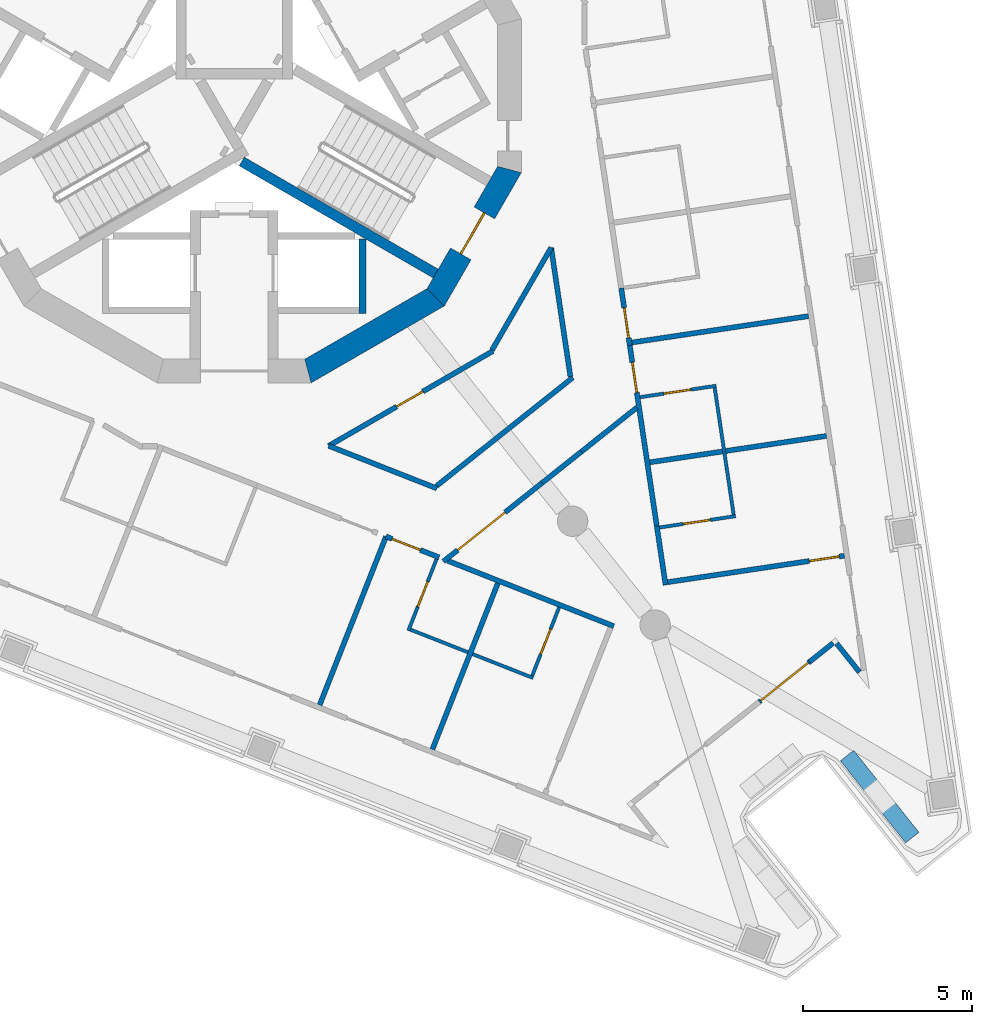
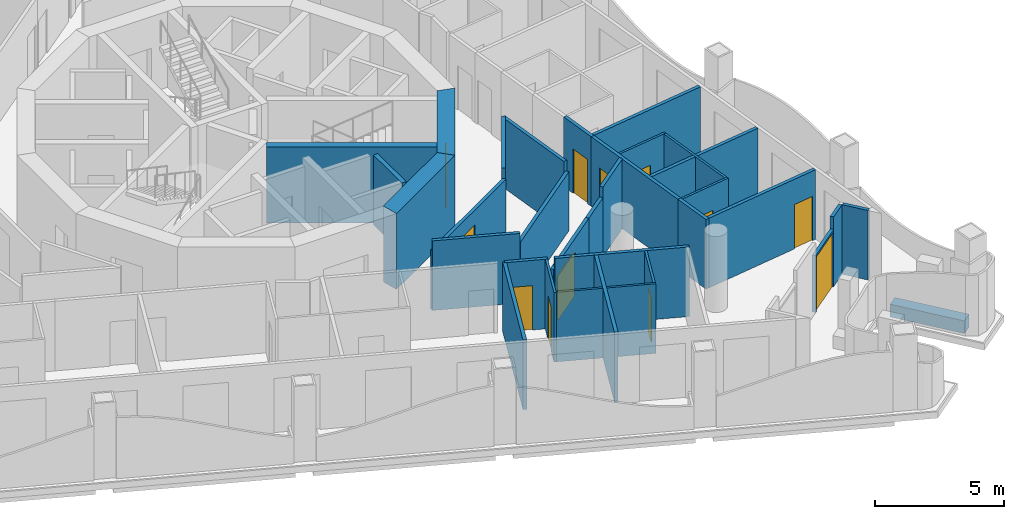
# One storey, part 5 of 16: 34 walls, 12 doors, 12 openings.
"""IFC4 building model written with IfcOpenShell, lengths in metres."""

from ifc_helpers import new_model, si_unit, direction, frame, frame_2d, origin, place, context, subcontext, project, spatial, polyline, rectangle, outline, extrude, material, layer, layer_set, type_object, element, fill, save


model = new_model("IFC4")

# Units and contexts
model_context = context("Model", 3, precision=1e-05, world=origin(), true_north=direction((0.0, 1.0)))
body_context = subcontext(model_context, "Body", "Model", "MODEL_VIEW")
ifc_project = project(units=[si_unit("LENGTHUNIT", "METRE"), si_unit("AREAUNIT", "SQUARE_METRE"), si_unit("VOLUMEUNIT", "CUBIC_METRE"), si_unit("PLANEANGLEUNIT", "RADIAN"), si_unit("MASSUNIT", "GRAM", prefix="KILO")], contexts=[model_context])

# Site, building, storey
site_placement = place(None, origin())
site = spatial("IfcSite", under=ifc_project, at=site_placement, CompositionType="ELEMENT")
building_placement = place(site_placement, origin())
building = spatial("IfcBuilding", under=site, at=building_placement, Name="Trine Commons Tower", CompositionType="ELEMENT")
storey_placement = place(building_placement, frame((0.0, 0.0, 219.60009765625)))
storey = spatial("IfcBuildingStorey", under=building, at=storey_placement, Name="L57", CompositionType="ELEMENT", Elevation=219.60009765625)

# Walls
ifc_material_1 = material(Name="Aluminium-framed insulated wall panel", Category="aluminium")
ifc_layer_1 = layer(ifc_material_1, 0.14990234375)
ifc_layer_set_1 = layer_set([ifc_layer_1], Name="Aluminium-framed insulated wall panel")
wall_type_1 = type_object("IfcWallType", Name="Glazed frame wall 150, EI 60", PredefinedType="SOLIDWALL", material=ifc_layer_set_1)
wall_1_placement = place(storey_placement, frame((98.603759765625, 45.320556640625, 0.0), z_axis=(0.0, 0.0, 1.0), x_axis=(-0.6225008228, 0.782619144676, 0.0)))
element("IfcWall", 1, at=wall_1_placement, inside=storey, type_object=wall_type_1, Name="Glazed frame wall R6", PredefinedType="SOLIDWALL", context=body_context, shape_type="SweptSolid", body=[
    extrude(outline(polyline([(0.1494140625, 0.074951171875), (0.1494140625, -0.074951171875), (1.235107421875, -0.074951171875), (1.235107421875, 0.074951171875), (0.1494140625, 0.074951171875)])), origin(), (0.0, 0.0, 1.0), 3.2998046875),
])
wall_2_placement = place(storey_placement, frame((97.815673828125, 46.367431640625, 0.0), z_axis=(0.0, 0.0, 1.0), x_axis=(-0.78265242488, -0.622458980037, 0.0)))
element("IfcWall", 2, at=wall_2_placement, inside=storey, type_object=wall_type_1, Name="Glazed frame wall P2.1", PredefinedType="SOLIDWALL", context=body_context, shape_type="SweptSolid", body=[
    extrude(outline(polyline([(0.110107421875, -0.074951171875), (1.0, -0.074951171875), (1.0, 0.074951171875), (0.110107421875, 0.074951171875), (0.110107421875, -0.074951171875)])), origin(), (0.0, 0.0, 1.0), 3.2998046875),
])

# Wall, opening, door
wall_3_placement = place(storey_placement, frame((97.033203125, 45.7451171875, 0.0), z_axis=(0.0, 0.0, 1.0), x_axis=(-0.782608167395, -0.622514623384, 0.0)))
wall_3 = element("IfcWall", 3, at=wall_3_placement, inside=storey, type_object=wall_type_1, Name="Glazed frame wall P2.2", PredefinedType="SOLIDWALL", context=body_context, shape_type="SweptSolid", body=[
    extrude(outline(polyline([(0.0, -0.074951171875), (1.89990234375, -0.074951171875), (1.89990234375, 0.074951171875), (0.0, 0.074951171875), (0.0, -0.074951171875)])), origin(), (0.0, 0.0, 1.0), 2.699951171875),
])
opening_1_placement = place(wall_3_placement, frame((0.050048828125, 0.0, 0.0)))
opening_1 = element("IfcOpeningElement", 4, at=opening_1_placement, cuts=wall_3, Name="Opening BD-6P2-01", PredefinedType="OPENING", context=body_context, shape_type="SweptSolid", body=[
    extrude(rectangle(XDim=1.800048828125, YDim=2.60009765625, at=frame_2d((0.89990234375, 1.300048828125))), frame((0.0, 0.0849609375, 0.0), z_axis=(0.0, -1.0, 0.0), x_axis=(1.0, 0.0, 0.0)), (0.0, 0.0, 1.0), 0.169921875),
])
ifc_material_2 = material(Name="Anodised aluminium frame with double glazing", Category="aluminium")
door_type_1 = type_object("IfcDoorType", Name="Sliding loggia door 1800x2600", OperationType="SLIDING_TO_LEFT", PredefinedType="DOOR", material=ifc_material_2)
door_1_placement = place(opening_1_placement, origin())
door_1 = element("IfcDoor", 5, at=door_1_placement, inside=storey, type_object=door_type_1, Name="Loggia door P2 1", OperationType="SLIDING_TO_LEFT", OverallHeight=2.60009765625, OverallWidth=1.800048828125, PredefinedType="DOOR", context=body_context, shape_type="SweptSolid", body=[
    extrude(rectangle(XDim=1.800048828125, YDim=2.60009765625, at=frame_2d((0.89990234375, 1.300048828125))), frame((0.0, 0.02490234375, 0.0), z_axis=(0.0, -1.0, 0.0), x_axis=(1.0, 0.0, 0.0)), (0.0, 0.0, 1.0), 0.050048828125),
])
fill(opening_1, door_1)

# Walls
ifc_material_3 = material(Name="Planter trough, precast concrete C40/50", Category="concrete")
ifc_layer_2 = layer(ifc_material_3, 0.5)
ifc_layer_set_2 = layer_set([ifc_layer_2], Name="Planter trough, precast concrete C40/50")
wall_type_2 = type_object("IfcWallType", Name="Planter trough 500x600", PredefinedType="PARAPET", material=ifc_layer_set_2)
wall_4_placement = place(storey_placement, frame((100.0732421875, 40.54150390625, 0.0), z_axis=(0.0, 0.0, 1.0), x_axis=(-0.622502736232, 0.782617622715, 0.0)))
element("IfcWall", 6, at=wall_4_placement, inside=storey, type_object=wall_type_2, Name="Planter 7", PredefinedType="PARAPET", context=body_context, shape_type="SweptSolid", body=[
    extrude(rectangle(XDim=3.099853515625, YDim=0.5, at=frame_2d((1.5498046875, 0.0))), origin(), (0.0, 0.0, 1.0), 0.599853515625),
])
ifc_material_4 = material(Name="Concrete C60/75", Category="concrete")
ifc_layer_3 = layer(ifc_material_4, 0.300048828125)
ifc_layer_set_3 = layer_set([ifc_layer_3], Name="Concrete C60/75")
wall_type_3 = type_object("IfcWallType", Name="RC shear wall 300 mm, C60/75", PredefinedType="SHEAR", material=ifc_layer_set_3)
wall_5_placement = place(storey_placement, frame((80.22509765625, 60.552001953125, 0.0), z_axis=(0.0, 0.0, 1.0), x_axis=(0.866009627307, -0.500027324665, 0.0)))
element("IfcWall", 7, at=wall_5_placement, inside=storey, type_object=wall_type_3, Name="Core cross wall SWC-13 L57", PredefinedType="SHEAR", context=body_context, shape_type="SweptSolid", body=[
    extrude(rectangle(XDim=6.631591796875, YDim=0.300048828125, at=frame_2d((3.31591796875, 0.0))), origin(), (0.0, 0.0, 1.0), 3.599853515625),
])
ifc_layer_4 = layer(ifc_material_4, 0.699951171875)
ifc_layer_set_4 = layer_set([ifc_layer_4], Name="Concrete C60/75")
wall_type_4 = type_object("IfcWallType", Name="RC shear wall 700 mm, C60/75", PredefinedType="SHEAR", material=ifc_layer_set_4)
wall_6_placement = place(storey_placement, frame((82.1025390625, 54.302978515625, 0.0), z_axis=(0.0, 0.0, 1.0), x_axis=(0.866034756103, 0.499983800959, 0.0)))
element("IfcWall", 8, at=wall_6_placement, inside=storey, type_object=wall_type_4, Name="Core wall CWF-11 L57", PredefinedType="SHEAR", context=body_context, shape_type="SweptSolid", body=[
    extrude(outline(polyline([(0.0, -0.35009765625), (4.55517578125, -0.35009765625), (4.36767578125, 0.35009765625), (0.1875, 0.35009765625), (0.0, -0.35009765625)])), origin(), (0.0, 0.0, 1.0), 3.599853515625),
])

# Wall, opening, door
wall_7_placement = place(storey_placement, frame((85.91943359375, 56.452392578125, 0.0), z_axis=(0.0, 0.0, 1.0), x_axis=(0.499983800959, 0.866034756103, 0.0)))
wall_7 = element("IfcWall", 9, at=wall_7_placement, inside=storey, type_object=wall_type_4, Name="Core wall CWF-12 L57", PredefinedType="SHEAR", context=body_context, shape_type="SweptSolid", body=[
    extrude(outline(polyline([(0.0, -0.35009765625), (4.55517578125, -0.35009765625), (4.36767578125, 0.35009765625), (0.1875, 0.35009765625), (0.0, -0.35009765625)])), origin(), (0.0, 0.0, 1.0), 3.599853515625),
])
opening_2_placement = place(wall_7_placement, frame((1.577392578125, 0.0, 0.0)))
opening_2 = element("IfcOpeningElement", 10, at=opening_2_placement, cuts=wall_7, Name="Opening K15.03", PredefinedType="OPENING", context=body_context, shape_type="SweptSolid", body=[
    extrude(rectangle(XDim=1.39990234375, YDim=2.10009765625, at=frame_2d((0.699951171875, 1.050048828125))), frame((0.0, 0.35986328125, 0.0), z_axis=(0.0, -1.0, 0.0), x_axis=(1.0, 0.0, 0.0)), (0.0, 0.0, 1.0), 0.719970703125),
])
ifc_material_5 = material(Name="Steel door leaves, fire-rated", Category="steel")
door_type_2 = type_object("IfcDoorType", Name="Stair door, double leaf 1400 x 2100, FD90", OperationType="DOUBLE_DOOR_SINGLE_SWING", PredefinedType="DOOR", material=ifc_material_5)
door_2_placement = place(opening_2_placement, origin())
door_2 = element("IfcDoor", 11, at=door_2_placement, inside=storey, type_object=door_type_2, Name="Stair door to Exit stair ST3C L57", OperationType="DOUBLE_DOOR_SINGLE_SWING", OverallHeight=2.10009765625, OverallWidth=1.39990234375, PredefinedType="DOOR", context=body_context, shape_type="SweptSolid", body=[
    extrude(rectangle(XDim=1.39990234375, YDim=2.10009765625, at=frame_2d((0.699951171875, 1.050048828125))), frame((0.0, 0.02490234375, 0.0), z_axis=(0.0, -1.0, 0.0), x_axis=(1.0, 0.0, 0.0)), (0.0, 0.0, 1.0), 0.050048828125),
])
fill(opening_2, door_2)

# Walls
ifc_material_6 = material(Name="Fire-rated gypsum shaft wall system")
ifc_layer_5 = layer(ifc_material_6, 0.199951171875)
ifc_layer_set_5 = layer_set([ifc_layer_5], Name="Fire-rated gypsum shaft wall system")
wall_type_5 = type_object("IfcWallType", Name="Shaft wall 200 mm, EI 120", PredefinedType="PARTITIONING", material=ifc_layer_set_5)
wall_8_placement = place(storey_placement, frame((83.800048828125, 58.257080078125, 0.0), z_axis=(0.0, 0.0, 1.0), x_axis=(0.0, -1.0, 0.0)))
element("IfcWall", 12, at=wall_8_placement, inside=storey, type_object=wall_type_5, Name="Shaft wall L57", PredefinedType="PARTITIONING", context=body_context, shape_type="SweptSolid", body=[
    extrude(rectangle(XDim=2.20703125, YDim=0.199951171875, at=frame_2d((1.103515625, 0.0))), origin(), (0.0, 0.0, 1.0), 3.2998046875),
])
ifc_material_7 = material(Name="Gypsum plasterboard on steel stud", Category="steel")
ifc_layer_6 = layer(ifc_material_7, 0.14990234375)
ifc_layer_set_6 = layer_set([ifc_layer_6], Name="Gypsum plasterboard on steel stud")
wall_type_6 = type_object("IfcWallType", Name="Unit and corridor wall 150 mm, EI 60", PredefinedType="PARTITIONING", material=ifc_layer_set_6)
wall_9_placement = place(storey_placement, frame((82.53173828125, 44.46728515625, 0.0), z_axis=(0.0, 0.0, 1.0), x_axis=(0.366658333351, 0.930355666712, 0.0)))
element("IfcWall", 13, at=wall_9_placement, inside=storey, type_object=wall_type_6, Name="Partition 060", PredefinedType="PARTITIONING", context=body_context, shape_type="SweptSolid", body=[
    extrude(rectangle(XDim=5.360107421875, YDim=0.14990234375, at=frame_2d((2.68017578125, 0.0))), origin(), (0.0, 0.0, 1.0), 3.2998046875),
])

# Wall, opening, door
wall_10_placement = place(storey_placement, frame((82.798095703125, 52.135009765625, 0.0), z_axis=(0.0, 0.0, 1.0), x_axis=(0.865994393525, 0.500053707499, 0.0)))
wall_10 = element("IfcWall", 14, at=wall_10_placement, inside=storey, type_object=wall_type_6, Name="Partition 063", PredefinedType="PARTITIONING", context=body_context, shape_type="SweptSolid", body=[
    extrude(rectangle(XDim=5.6142578125, YDim=0.14990234375, at=frame_2d((2.80712890625, 0.0))), origin(), (0.0, 0.0, 1.0), 2.7998046875),
])
opening_3_placement = place(wall_10_placement, frame((2.321533203125, 0.0, 0.0)))
opening_3 = element("IfcOpeningElement", 15, at=opening_3_placement, cuts=wall_10, Name="Opening D-6C26", PredefinedType="OPENING", context=body_context, shape_type="SweptSolid", body=[
    extrude(rectangle(XDim=0.89990234375, YDim=2.10009765625, at=frame_2d((0.449951171875, 1.050048828125))), frame((0.0, 0.0849609375, 0.0), z_axis=(0.0, -1.0, 0.0), x_axis=(1.0, 0.0, 0.0)), (0.0, 0.0, 1.0), 0.169921875),
])
ifc_material_8 = material(Name="Timber fire door set", Category="wood")
door_type_3 = type_object("IfcDoorType", Name="Service door 900 x 2100, FD30S", OperationType="NOTDEFINED", PredefinedType="DOOR", material=ifc_material_8)
door_3_placement = place(opening_3_placement, frame((0.89990234375, 0.0, 0.0), z_axis=(0.0, 0.0, 1.0), x_axis=(-1.0, 0.0, 0.0)))
door_3 = element("IfcDoor", 16, at=door_3_placement, inside=storey, type_object=door_type_3, Name="Door D-6C26", OperationType="SINGLE_SWING_RIGHT", OverallHeight=2.10009765625, OverallWidth=0.89990234375, PredefinedType="DOOR", context=body_context, shape_type="SweptSolid", body=[
    extrude(rectangle(XDim=0.89990234375, YDim=2.10009765625, at=frame_2d((0.449951171875, 1.050048828125))), frame((0.0, 0.02490234375, 0.0), z_axis=(0.0, -1.0, 0.0), x_axis=(1.0, 0.0, 0.0)), (0.0, 0.0, 1.0), 0.050048828125),
])
fill(opening_3, door_3)

# Wall
wall_11_placement = place(storey_placement, frame((82.801025390625, 52.136962890625, 0.0), z_axis=(0.0, 0.0, 1.0), x_axis=(0.930387129981, -0.366578488685, 0.0)))
element("IfcWall", 17, at=wall_11_placement, inside=storey, type_object=wall_type_6, Name="Partition 064", PredefinedType="PARTITIONING", context=body_context, shape_type="SweptSolid", body=[
    extrude(rectangle(XDim=3.441162109375, YDim=0.14990234375, at=frame_2d((1.720703125, 0.0))), origin(), (0.0, 0.0, 1.0), 3.2998046875),
])

# Wall, opening, door
wall_12_placement = place(storey_placement, frame((84.492919921875, 49.455078125, 0.0), z_axis=(0.0, 0.0, 1.0), x_axis=(0.930558708254, -0.366142718748, 0.0)))
wall_12 = element("IfcWall", 18, at=wall_12_placement, inside=storey, type_object=wall_type_6, Name="Partition 071", PredefinedType="PARTITIONING", context=body_context, shape_type="SweptSolid", body=[
    extrude(rectangle(XDim=1.6943359375, YDim=0.14990234375, at=frame_2d((0.84716796875, 0.0))), origin(), (0.0, 0.0, 1.0), 3.2998046875),
])
opening_4_placement = place(wall_12_placement, frame((0.19775390625, 0.0, 0.0)))
opening_4 = element("IfcOpeningElement", 19, at=opening_4_placement, cuts=wall_12, Name="Opening D-6C21", PredefinedType="OPENING", context=body_context, shape_type="SweptSolid", body=[
    extrude(rectangle(XDim=0.89990234375, YDim=2.10009765625, at=frame_2d((0.449951171875, 1.050048828125))), frame((0.0, 0.0849609375, 0.0), z_axis=(0.0, -1.0, 0.0), x_axis=(1.0, 0.0, 0.0)), (0.0, 0.0, 1.0), 0.169921875),
])
door_type_4 = type_object("IfcDoorType", Name="Bedroom door 900 x 2100, FD30S", OperationType="NOTDEFINED", PredefinedType="DOOR", material=ifc_material_8)
door_4_placement = place(opening_4_placement, frame((0.89990234375, 0.0, 0.0), z_axis=(0.0, 0.0, 1.0), x_axis=(-1.0, 0.0, 0.0)))
door_4 = element("IfcDoor", 20, at=door_4_placement, inside=storey, type_object=door_type_4, Name="Door D-6C21", OperationType="SINGLE_SWING_RIGHT", OverallHeight=2.10009765625, OverallWidth=0.89990234375, PredefinedType="DOOR", context=body_context, shape_type="SweptSolid", body=[
    extrude(rectangle(XDim=0.89990234375, YDim=2.10009765625, at=frame_2d((0.449951171875, 1.050048828125))), frame((0.0, 0.02490234375, 0.0), z_axis=(0.0, -1.0, 0.0), x_axis=(1.0, 0.0, 0.0)), (0.0, 0.0, 1.0), 0.050048828125),
])
fill(opening_4, door_4)

# Walls
wall_13_placement = place(storey_placement, frame((85.86865234375, 43.152099609375, 0.0), z_axis=(0.0, 0.0, 1.0), x_axis=(0.366408201445, 0.930454206242, 0.0)))
element("IfcWall", 21, at=wall_13_placement, inside=storey, type_object=wall_type_6, Name="Partition 075", PredefinedType="PARTITIONING", context=body_context, shape_type="SweptSolid", body=[
    extrude(rectangle(XDim=5.285888671875, YDim=0.14990234375, at=frame_2d((2.64306640625, 0.0))), origin(), (0.0, 0.0, 1.0), 3.2998046875),
])
wall_14_placement = place(storey_placement, frame((85.99169921875, 50.94970703125, 0.0), z_axis=(0.0, 0.0, 1.0), x_axis=(0.782530221945, 0.622612601657, 0.0)))
element("IfcWall", 22, at=wall_14_placement, inside=storey, type_object=wall_type_6, Name="Partition 076", PredefinedType="PARTITIONING", context=body_context, shape_type="SweptSolid", body=[
    extrude(rectangle(XDim=5.152587890625, YDim=0.14990234375, at=frame_2d((2.576171875, 0.0))), origin(), (0.0, 0.0, 1.0), 2.7998046875),
])

# Wall, opening, door
wall_15_placement = place(storey_placement, frame((86.1943359375, 48.71533203125, 0.0), z_axis=(0.0, 0.0, 1.0), x_axis=(0.782511991975, 0.622635513294, 0.0)))
wall_15 = element("IfcWall", 23, at=wall_15_placement, inside=storey, type_object=wall_type_6, Name="Partition 077", PredefinedType="PARTITIONING", context=body_context, shape_type="SweptSolid", body=[
    extrude(rectangle(XDim=3.733642578125, YDim=0.14990234375, at=frame_2d((1.86669921875, 0.0))), origin(), (0.0, 0.0, 1.0), 2.7998046875),
])
opening_5_placement = place(wall_15_placement, frame((0.536865234375, 0.0, 0.0)))
opening_5 = element("IfcOpeningElement", 24, at=opening_5_placement, cuts=wall_15, Name="Opening D-6C02", PredefinedType="OPENING", context=body_context, shape_type="SweptSolid", body=[
    extrude(rectangle(XDim=1.800048828125, YDim=2.10009765625, at=frame_2d((0.89990234375, 1.050048828125))), frame((0.0, 0.0849609375, 0.0), z_axis=(0.0, -1.0, 0.0), x_axis=(1.0, 0.0, 0.0)), (0.0, 0.0, 1.0), 0.169921875),
])
door_type_5 = type_object("IfcDoorType", Name="Cluster entrance door 1800 x 2100, double leaf, FD30S", OperationType="DOUBLE_DOOR_DOUBLE_SWING", PredefinedType="DOOR", material=ifc_material_8)
door_5_placement = place(opening_5_placement, frame((1.800048828125, 0.0, 0.0), z_axis=(0.0, 0.0, 1.0), x_axis=(-1.0, 0.0, 0.0)))
door_5 = element("IfcDoor", 25, at=door_5_placement, inside=storey, type_object=door_type_5, Name="Door D-6C02", OperationType="DOUBLE_DOOR_DOUBLE_SWING", OverallHeight=2.10009765625, OverallWidth=1.800048828125, PredefinedType="DOOR", context=body_context, shape_type="SweptSolid", body=[
    extrude(rectangle(XDim=1.800048828125, YDim=2.10009765625, at=frame_2d((0.89990234375, 1.050048828125))), frame((0.0, 0.02490234375, 0.0), z_axis=(0.0, -1.0, 0.0), x_axis=(1.0, 0.0, 0.0)), (0.0, 0.0, 1.0), 0.050048828125),
])
fill(opening_5, door_5)

# Walls
wall_16_placement = place(storey_placement, frame((86.32275390625, 48.734619140625, 0.0), z_axis=(0.0, 0.0, 1.0), x_axis=(0.930382606838, -0.366589968348, 0.0)))
element("IfcWall", 26, at=wall_16_placement, inside=storey, type_object=wall_type_6, Name="Partition 078", PredefinedType="PARTITIONING", context=body_context, shape_type="SweptSolid", body=[
    extrude(rectangle(XDim=5.283935546875, YDim=0.14990234375, at=frame_2d((2.64208984375, 0.0))), origin(), (0.0, 0.0, 1.0), 3.2998046875),
])
wall_17_placement = place(storey_placement, frame((87.632568359375, 54.969970703125, 0.0), z_axis=(0.0, 0.0, 1.0), x_axis=(0.50005009493, 0.865996479531, 0.0)))
element("IfcWall", 27, at=wall_17_placement, inside=storey, type_object=wall_type_6, Name="Partition 082", PredefinedType="PARTITIONING", context=body_context, shape_type="SweptSolid", body=[
    extrude(rectangle(XDim=3.504638671875, YDim=0.14990234375, at=frame_2d((1.75244140625, 0.0))), origin(), (0.0, 0.0, 1.0), 3.2998046875),
])
wall_18_placement = place(storey_placement, frame((89.115966796875, 51.0400390625, 0.0), z_axis=(0.0, 0.0, 1.0), x_axis=(0.7828906441, 0.622159336007, 0.0)))
element("IfcWall", 28, at=wall_18_placement, inside=storey, type_object=wall_type_6, Name="Partition 092", PredefinedType="PARTITIONING", context=body_context, shape_type="SweptSolid", body=[
    extrude(rectangle(XDim=1.4931640625, YDim=0.14990234375, at=frame_2d((0.74658203125, 0.0))), origin(), (0.0, 0.0, 1.0), 2.7998046875),
])
wall_19_placement = place(storey_placement, frame((89.383056640625, 58.001953125, 0.0), z_axis=(0.0, 0.0, 1.0), x_axis=(0.14791043165, -0.989000760469, 0.0)))
element("IfcWall", 29, at=wall_19_placement, inside=storey, type_object=wall_type_6, Name="Partition 094", PredefinedType="PARTITIONING", context=body_context, shape_type="SweptSolid", body=[
    extrude(rectangle(XDim=3.859130859375, YDim=0.14990234375, at=frame_2d((1.9296875, 0.0))), origin(), (0.0, 0.0, 1.0), 3.2998046875),
])
wall_20_placement = place(storey_placement, frame((90.284912109375, 51.968994140625, 0.0), z_axis=(0.0, 0.0, 1.0), x_axis=(0.782529911794, 0.622612991471, 0.0)))
element("IfcWall", 30, at=wall_20_placement, inside=storey, type_object=wall_type_6, Name="Partition 099", PredefinedType="PARTITIONING", context=body_context, shape_type="SweptSolid", body=[
    extrude(rectangle(XDim=2.090087890625, YDim=0.14990234375, at=frame_2d((1.044921875, 0.0))), origin(), (0.0, 0.0, 1.0), 3.2998046875),
])

# Wall, opening, door
wall_21_placement = place(storey_placement, frame((91.4580078125, 56.805908203125, 0.0), z_axis=(0.0, 0.0, 1.0), x_axis=(0.147145743131, -0.989114821585, 0.0)))
wall_21 = element("IfcWall", 31, at=wall_21_placement, inside=storey, type_object=wall_type_6, Name="Partition 111", PredefinedType="PARTITIONING", context=body_context, shape_type="SweptSolid", body=[
    extrude(rectangle(XDim=1.718994140625, YDim=0.14990234375, at=frame_2d((0.859375, 0.0))), origin(), (0.0, 0.0, 1.0), 3.2998046875),
])
opening_6_placement = place(wall_21_placement, frame((0.58984375, 0.0, 0.0)))
opening_6 = element("IfcOpeningElement", 32, at=opening_6_placement, cuts=wall_21, Name="Opening D-6C17", PredefinedType="OPENING", context=body_context, shape_type="SweptSolid", body=[
    extrude(rectangle(XDim=0.89990234375, YDim=2.10009765625, at=frame_2d((0.449951171875, 1.050048828125))), frame((0.0, 0.0849609375, 0.0), z_axis=(0.0, -1.0, 0.0), x_axis=(1.0, 0.0, 0.0)), (0.0, 0.0, 1.0), 0.169921875),
])
door_6_placement = place(opening_6_placement, origin())
door_6 = element("IfcDoor", 33, at=door_6_placement, inside=storey, type_object=door_type_4, Name="Door D-6C17", OperationType="SINGLE_SWING_RIGHT", OverallHeight=2.10009765625, OverallWidth=0.89990234375, PredefinedType="DOOR", context=body_context, shape_type="SweptSolid", body=[
    extrude(rectangle(XDim=0.89990234375, YDim=2.10009765625, at=frame_2d((0.449951171875, 1.050048828125))), frame((0.0, 0.02490234375, 0.0), z_axis=(0.0, -1.0, 0.0), x_axis=(1.0, 0.0, 0.0)), (0.0, 0.0, 1.0), 0.050048828125),
])
fill(opening_6, door_6)

wall_22_placement = place(storey_placement, frame((91.698974609375, 55.18798828125, 0.0), z_axis=(0.0, 0.0, 1.0), x_axis=(0.147922673627, -0.988998929538, 0.0)))
wall_22 = element("IfcWall", 34, at=wall_22_placement, inside=storey, type_object=wall_type_6, Name="Partition 112", PredefinedType="PARTITIONING", context=body_context, shape_type="SweptSolid", body=[
    extrude(rectangle(XDim=5.5439453125, YDim=0.14990234375, at=frame_2d((2.77197265625, 0.0))), origin(), (0.0, 0.0, 1.0), 3.2998046875),
])
opening_7_placement = place(wall_22_placement, frame((0.590087890625, 0.0, 0.0)))
opening_7 = element("IfcOpeningElement", 35, at=opening_7_placement, cuts=wall_22, Name="Opening D-6C18", PredefinedType="OPENING", context=body_context, shape_type="SweptSolid", body=[
    extrude(rectangle(XDim=0.89990234375, YDim=2.10009765625, at=frame_2d((0.449951171875, 1.050048828125))), frame((0.0, 0.0849609375, 0.0), z_axis=(0.0, -1.0, 0.0), x_axis=(1.0, 0.0, 0.0)), (0.0, 0.0, 1.0), 0.169921875),
])
door_7_placement = place(opening_7_placement, origin())
door_7 = element("IfcDoor", 36, at=door_7_placement, inside=storey, type_object=door_type_4, Name="Door D-6C18", OperationType="SINGLE_SWING_LEFT", OverallHeight=2.10009765625, OverallWidth=0.89990234375, PredefinedType="DOOR", context=body_context, shape_type="SweptSolid", body=[
    extrude(rectangle(XDim=0.89990234375, YDim=2.10009765625, at=frame_2d((0.449951171875, 1.050048828125))), frame((0.0, 0.02490234375, 0.0), z_axis=(0.0, -1.0, 0.0), x_axis=(1.0, 0.0, 0.0)), (0.0, 0.0, 1.0), 0.050048828125),
])
fill(opening_7, door_7)

# Walls
wall_23_placement = place(storey_placement, frame((91.774169921875, 55.195068359375, 0.0), z_axis=(0.0, 0.0, 1.0), x_axis=(0.98902190879, 0.147768954566, 0.0)))
element("IfcWall", 37, at=wall_23_placement, inside=storey, type_object=wall_type_6, Name="Partition 113", PredefinedType="PARTITIONING", context=body_context, shape_type="SweptSolid", body=[
    extrude(rectangle(XDim=5.285400390625, YDim=0.14990234375, at=frame_2d((2.642578125, 0.0))), origin(), (0.0, 0.0, 1.0), 3.2998046875),
])
wall_24_placement = place(storey_placement, frame((92.30419921875, 51.649169921875, 0.0), z_axis=(0.0, 0.0, 1.0), x_axis=(0.989097136126, 0.147264575874, 0.0)))
element("IfcWall", 38, at=wall_24_placement, inside=storey, type_object=wall_type_6, Name="Partition 116", PredefinedType="PARTITIONING", context=body_context, shape_type="SweptSolid", body=[
    extrude(rectangle(XDim=2.175048828125, YDim=0.14990234375, at=frame_2d((1.08740234375, 0.0))), origin(), (0.0, 0.0, 1.0), 3.2998046875),
])
wall_25_placement = place(storey_placement, frame((92.510498046875, 49.762451171875, 0.0), z_axis=(0.0, 0.0, 1.0), x_axis=(0.147596346484, -0.989047682624, 0.0)))
element("IfcWall", 39, at=wall_25_placement, inside=storey, type_object=wall_type_6, Name="Partition 117", PredefinedType="PARTITIONING", context=body_context, shape_type="SweptSolid", body=[
    extrude(rectangle(XDim=1.764892578125, YDim=0.14990234375, at=frame_2d((0.88232421875, 0.0))), origin(), (0.0, 0.0, 1.0), 3.2998046875),
])

# Wall, opening, door
wall_26_placement = place(storey_placement, frame((92.834228515625, 48.10205078125, 0.0), z_axis=(0.0, 0.0, 1.0), x_axis=(0.989020900083, 0.147775705715, 0.0)))
wall_26 = element("IfcWall", 40, at=wall_26_placement, inside=storey, type_object=wall_type_6, Name="Partition 121", PredefinedType="PARTITIONING", context=body_context, shape_type="SweptSolid", body=[
    extrude(rectangle(XDim=5.28515625, YDim=0.14990234375, at=frame_2d((2.642578125, 0.0))), origin(), (0.0, 0.0, 1.0), 3.2998046875),
])
opening_8_placement = place(wall_26_placement, frame((4.2353515625, 0.0, 0.0)))
opening_8 = element("IfcOpeningElement", 41, at=opening_8_placement, cuts=wall_26, Name="Opening D-6C19", PredefinedType="OPENING", context=body_context, shape_type="SweptSolid", body=[
    extrude(rectangle(XDim=0.89990234375, YDim=2.10009765625, at=frame_2d((0.449951171875, 1.050048828125))), frame((0.0, 0.0849609375, 0.0), z_axis=(0.0, -1.0, 0.0), x_axis=(1.0, 0.0, 0.0)), (0.0, 0.0, 1.0), 0.169921875),
])
door_8_placement = place(opening_8_placement, origin())
door_8 = element("IfcDoor", 42, at=door_8_placement, inside=storey, type_object=door_type_4, Name="Door D-6C19", OperationType="SINGLE_SWING_RIGHT", OverallHeight=2.10009765625, OverallWidth=0.89990234375, PredefinedType="DOOR", context=body_context, shape_type="SweptSolid", body=[
    extrude(rectangle(XDim=0.89990234375, YDim=2.10009765625, at=frame_2d((0.449951171875, 1.050048828125))), frame((0.0, 0.02490234375, 0.0), z_axis=(0.0, -1.0, 0.0), x_axis=(1.0, 0.0, 0.0)), (0.0, 0.0, 1.0), 0.050048828125),
])
fill(opening_8, door_8)

# Wall
wall_27_placement = place(storey_placement, frame((94.554443359375, 51.984375, 0.0), z_axis=(0.0, 0.0, 1.0), x_axis=(0.988973205447, 0.148094560698, 0.0)))
element("IfcWall", 43, at=wall_27_placement, inside=storey, type_object=wall_type_6, Name="Partition 124", PredefinedType="PARTITIONING", context=body_context, shape_type="SweptSolid", body=[
    extrude(rectangle(XDim=3.01025390625, YDim=0.14990234375, at=frame_2d((1.505126953125, 0.0))), origin(), (0.0, 0.0, 1.0), 3.2998046875),
])

# Wall, opening, door
ifc_layer_7 = layer(ifc_material_7, 0.10009765625)
ifc_layer_set_7 = layer_set([ifc_layer_7], Name="Gypsum plasterboard on steel stud")
wall_type_7 = type_object("IfcWallType", Name="Unit partition 100 mm, no rating", PredefinedType="PARTITIONING", material=ifc_layer_set_7)
wall_28_placement = place(storey_placement, frame((85.15771484375, 46.66748046875, 0.0), z_axis=(0.0, 0.0, 1.0), x_axis=(0.366482291334, 0.930425026608, 0.0)))
wall_28 = element("IfcWall", 44, at=wall_28_placement, inside=storey, type_object=wall_type_7, Name="Partition 073", PredefinedType="PARTITIONING", context=body_context, shape_type="SweptSolid", body=[
    extrude(rectangle(XDim=2.27490234375, YDim=0.10009765625, at=frame_2d((1.137451171875, 0.0))), origin(), (0.0, 0.0, 1.0), 3.2998046875),
])
opening_9_placement = place(wall_28_placement, frame((0.762451171875, 0.0, 0.0)))
opening_9 = element("IfcOpeningElement", 45, at=opening_9_placement, cuts=wall_28, Name="Opening D-6C44", PredefinedType="OPENING", context=body_context, shape_type="SweptSolid", body=[
    extrude(rectangle(XDim=0.800048828125, YDim=2.10009765625, at=frame_2d((0.39990234375, 1.050048828125))), frame((0.0, 0.06005859375, 0.0), z_axis=(0.0, -1.0, 0.0), x_axis=(1.0, 0.0, 0.0)), (0.0, 0.0, 1.0), 0.1201171875),
])
ifc_material_9 = material(Name="Painted timber", Category="wood")
door_type_6 = type_object("IfcDoorType", Name="Internal door 800 x 2100, NOT RATED", OperationType="NOTDEFINED", PredefinedType="DOOR", material=ifc_material_9)
door_9_placement = place(opening_9_placement, origin())
door_9 = element("IfcDoor", 46, at=door_9_placement, inside=storey, type_object=door_type_6, Name="Door D-6C44", OperationType="SINGLE_SWING_RIGHT", OverallHeight=2.10009765625, OverallWidth=0.800048828125, PredefinedType="DOOR", context=body_context, shape_type="SweptSolid", body=[
    extrude(rectangle(XDim=0.800048828125, YDim=2.10009765625, at=frame_2d((0.39990234375, 1.050048828125))), frame((0.0, 0.02490234375, 0.0), z_axis=(0.0, -1.0, 0.0), x_axis=(1.0, 0.0, 0.0)), (0.0, 0.0, 1.0), 0.050048828125),
])
fill(opening_9, door_9)

# Walls
wall_29_placement = place(storey_placement, frame((85.222412109375, 46.69580078125, 0.0), z_axis=(0.0, 0.0, 1.0), x_axis=(0.930520354764, -0.366240179895, 0.0)))
element("IfcWall", 47, at=wall_29_placement, inside=storey, type_object=wall_type_7, Name="Partition 074", PredefinedType="PARTITIONING", context=body_context, shape_type="SweptSolid", body=[
    extrude(rectangle(XDim=1.824462890625, YDim=0.10009765625, at=frame_2d((0.912109375, 0.0))), origin(), (0.0, 0.0, 1.0), 3.2998046875),
])
wall_30_placement = place(storey_placement, frame((87.059814453125, 45.972412109375, 0.0), z_axis=(0.0, 0.0, 1.0), x_axis=(0.930345464998, -0.366684218038, 0.0)))
element("IfcWall", 48, at=wall_30_placement, inside=storey, type_object=wall_type_7, Name="Partition 080", PredefinedType="PARTITIONING", context=body_context, shape_type="SweptSolid", body=[
    extrude(rectangle(XDim=1.9248046875, YDim=0.10009765625, at=frame_2d((0.96240234375, 0.0))), origin(), (0.0, 0.0, 1.0), 3.2998046875),
])

# Wall, opening, door
wall_31_placement = place(storey_placement, frame((88.822265625, 45.33154296875, 0.0), z_axis=(0.0, 0.0, 1.0), x_axis=(0.366489184141, 0.930422311592, 0.0)))
wall_31 = element("IfcWall", 49, at=wall_31_placement, inside=storey, type_object=wall_type_7, Name="Partition 088", PredefinedType="PARTITIONING", context=body_context, shape_type="SweptSolid", body=[
    extrude(rectangle(XDim=2.175048828125, YDim=0.10009765625, at=frame_2d((1.08740234375, 0.0))), origin(), (0.0, 0.0, 1.0), 3.2998046875),
])
opening_10_placement = place(wall_31_placement, frame((0.6875, 0.0, 0.0)))
opening_10 = element("IfcOpeningElement", 50, at=opening_10_placement, cuts=wall_31, Name="Opening D-6C43", PredefinedType="OPENING", context=body_context, shape_type="SweptSolid", body=[
    extrude(rectangle(XDim=0.800048828125, YDim=2.10009765625, at=frame_2d((0.39990234375, 1.050048828125))), frame((0.0, 0.06005859375, 0.0), z_axis=(0.0, -1.0, 0.0), x_axis=(1.0, 0.0, 0.0)), (0.0, 0.0, 1.0), 0.1201171875),
])
door_10_placement = place(opening_10_placement, frame((0.800048828125, 0.0, 0.0), z_axis=(0.0, 0.0, 1.0), x_axis=(-1.0, 0.0, 0.0)))
door_10 = element("IfcDoor", 51, at=door_10_placement, inside=storey, type_object=door_type_6, Name="Door D-6C43", OperationType="SINGLE_SWING_LEFT", OverallHeight=2.10009765625, OverallWidth=0.800048828125, PredefinedType="DOOR", context=body_context, shape_type="SweptSolid", body=[
    extrude(rectangle(XDim=0.800048828125, YDim=2.10009765625, at=frame_2d((0.39990234375, 1.050048828125))), frame((0.0, 0.02490234375, 0.0), z_axis=(0.0, -1.0, 0.0), x_axis=(1.0, 0.0, 0.0)), (0.0, 0.0, 1.0), 0.050048828125),
])
fill(opening_10, door_10)

wall_32_placement = place(storey_placement, frame((92.01611328125, 53.5771484375, 0.0), z_axis=(0.0, 0.0, 1.0), x_axis=(0.989025888794, 0.147742313828, 0.0)))
wall_32 = element("IfcWall", 52, at=wall_32_placement, inside=storey, type_object=wall_type_7, Name="Partition 114", PredefinedType="PARTITIONING", context=body_context, shape_type="SweptSolid", body=[
    extrude(rectangle(XDim=2.275390625, YDim=0.10009765625, at=frame_2d((1.1376953125, 0.0))), origin(), (0.0, 0.0, 1.0), 3.2998046875),
])
opening_11_placement = place(wall_32_placement, frame((0.712646484375, 0.0, 0.0)))
opening_11 = element("IfcOpeningElement", 53, at=opening_11_placement, cuts=wall_32, Name="Opening D-6C41", PredefinedType="OPENING", context=body_context, shape_type="SweptSolid", body=[
    extrude(rectangle(XDim=0.800048828125, YDim=2.10009765625, at=frame_2d((0.39990234375, 1.050048828125))), frame((0.0, 0.06005859375, 0.0), z_axis=(0.0, -1.0, 0.0), x_axis=(1.0, 0.0, 0.0)), (0.0, 0.0, 1.0), 0.1201171875),
])
door_11_placement = place(opening_11_placement, origin())
door_11 = element("IfcDoor", 54, at=door_11_placement, inside=storey, type_object=door_type_6, Name="Door D-6C41", OperationType="SINGLE_SWING_LEFT", OverallHeight=2.10009765625, OverallWidth=0.800048828125, PredefinedType="DOOR", context=body_context, shape_type="SweptSolid", body=[
    extrude(rectangle(XDim=0.800048828125, YDim=2.10009765625, at=frame_2d((0.39990234375, 1.050048828125))), frame((0.0, 0.02490234375, 0.0), z_axis=(0.0, -1.0, 0.0), x_axis=(1.0, 0.0, 0.0)), (0.0, 0.0, 1.0), 0.050048828125),
])
fill(opening_11, door_11)

wall_33_placement = place(storey_placement, frame((92.59326171875, 49.72021484375, 0.0), z_axis=(0.0, 0.0, 1.0), x_axis=(0.989014169634, 0.147820743687, 0.0)))
wall_33 = element("IfcWall", 55, at=wall_33_placement, inside=storey, type_object=wall_type_7, Name="Partition 118", PredefinedType="PARTITIONING", context=body_context, shape_type="SweptSolid", body=[
    extrude(rectangle(XDim=2.274169921875, YDim=0.10009765625, at=frame_2d((1.13720703125, 0.0))), origin(), (0.0, 0.0, 1.0), 3.2998046875),
])
opening_12_placement = place(wall_33_placement, frame((0.712158203125, 0.0, 0.0)))
opening_12 = element("IfcOpeningElement", 56, at=opening_12_placement, cuts=wall_33, Name="Opening D-6C42", PredefinedType="OPENING", context=body_context, shape_type="SweptSolid", body=[
    extrude(rectangle(XDim=0.800048828125, YDim=2.10009765625, at=frame_2d((0.39990234375, 1.050048828125))), frame((0.0, 0.06005859375, 0.0), z_axis=(0.0, -1.0, 0.0), x_axis=(1.0, 0.0, 0.0)), (0.0, 0.0, 1.0), 0.1201171875),
])
door_12_placement = place(opening_12_placement, frame((0.800048828125, 0.0, 0.0), z_axis=(0.0, 0.0, 1.0), x_axis=(-1.0, 0.0, 0.0)))
door_12 = element("IfcDoor", 57, at=door_12_placement, inside=storey, type_object=door_type_6, Name="Door D-6C42", OperationType="SINGLE_SWING_RIGHT", OverallHeight=2.10009765625, OverallWidth=0.800048828125, PredefinedType="DOOR", context=body_context, shape_type="SweptSolid", body=[
    extrude(rectangle(XDim=0.800048828125, YDim=2.10009765625, at=frame_2d((0.39990234375, 1.050048828125))), frame((0.0, 0.02490234375, 0.0), z_axis=(0.0, -1.0, 0.0), x_axis=(1.0, 0.0, 0.0)), (0.0, 0.0, 1.0), 0.050048828125),
])
fill(opening_12, door_12)

# Wall
wall_34_placement = place(storey_placement, frame((94.224365234375, 53.8564453125, 0.0), z_axis=(0.0, 0.0, 1.0), x_axis=(0.147715184464, -0.989029941043, 0.0)))
element("IfcWall", 58, at=wall_34_placement, inside=storey, type_object=wall_type_7, Name="Partition 123", PredefinedType="PARTITIONING", context=body_context, shape_type="SweptSolid", body=[
    extrude(rectangle(XDim=3.7998046875, YDim=0.10009765625, at=frame_2d((1.89990234375, 0.0))), origin(), (0.0, 0.0, 1.0), 3.2998046875),
])

save(model, "model.ifc")
